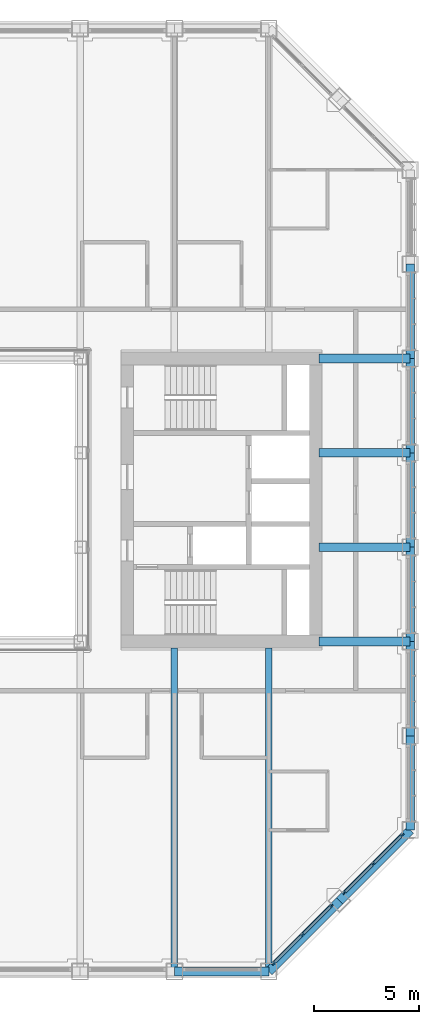
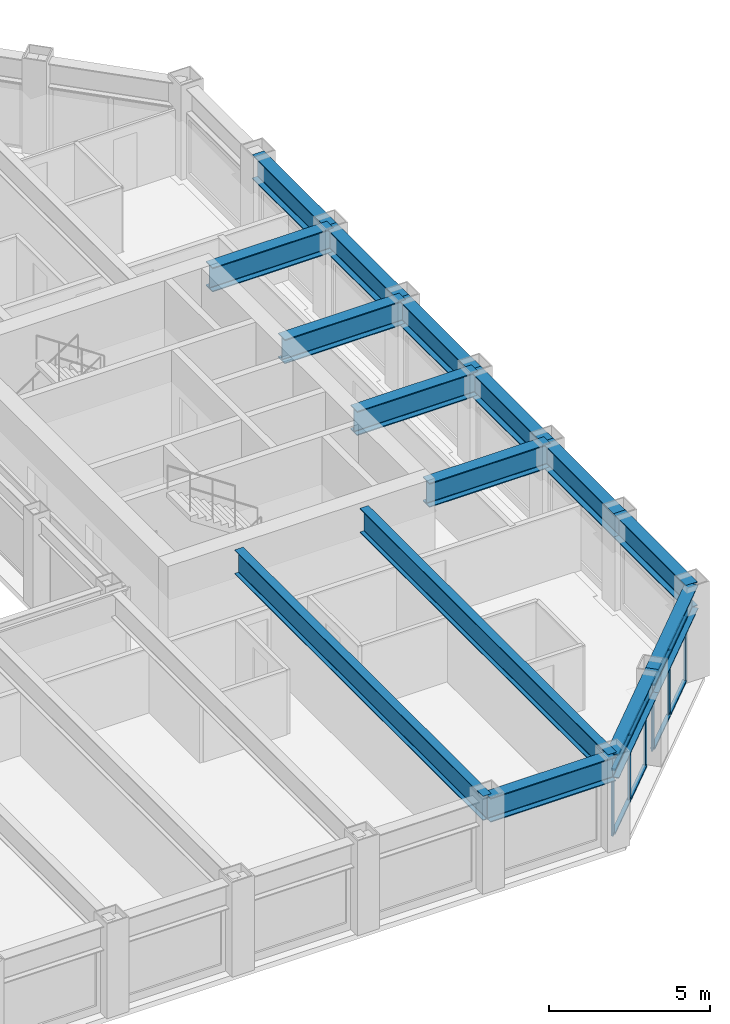
# One storey, part 6 of 17: 15 beams, 14 members, 2 elements without a shape of their own.
"""IFC4 building model written with IfcOpenShell, lengths in metres."""

from ifc_helpers import new_model, si_unit, direction, frame, origin, origin_2d, place, context, subcontext, project, spatial, rectangle, i_section, extrude, material, material_profile, profile_set, type_object, element, aggregate, save


model = new_model("IFC4")

# Units and contexts
model_context = context("Model", 3, precision=1e-05, world=origin(), true_north=direction((0.0, 1.0)))
body_context = subcontext(model_context, "Body", "Model", "MODEL_VIEW")
ifc_project = project(units=[si_unit("LENGTHUNIT", "METRE"), si_unit("AREAUNIT", "SQUARE_METRE"), si_unit("VOLUMEUNIT", "CUBIC_METRE"), si_unit("PLANEANGLEUNIT", "RADIAN"), si_unit("MASSUNIT", "GRAM", prefix="KILO")], contexts=[model_context])

# Site, building, storey
site_placement = place(None, origin())
site = spatial("IfcSite", under=ifc_project, at=site_placement, CompositionType="ELEMENT")
building_placement = place(site_placement, origin())
building = spatial("IfcBuilding", under=site, at=building_placement, Name="Msasa Ring Tower", CompositionType="ELEMENT")
storey_placement = place(building_placement, frame((0.0, 0.0, 176.0)))
storey = spatial("IfcBuildingStorey", under=building, at=storey_placement, Name="L46", CompositionType="ELEMENT", Elevation=176.0)

# Curtain wall, members
ifc_material_1 = material(Name="Aluminium curtain wall with clear glass", Category="aluminium")
curtain_wall_type = type_object("IfcCurtainWallType", Name="CW-C CHAMFER CORNER CURTAIN WALL", PredefinedType="NOTDEFINED", material=ifc_material_1)
curtain_wall_1_placement = place(storey_placement, origin())
curtain_wall_1 = element("IfcCurtainWall", 1, at=curtain_wall_1_placement, inside=storey, type_object=curtain_wall_type, Name="Chamfer corner curtain wall SE L46", PredefinedType="NOTDEFINED")
ifc_material_2 = material(Name="Aluminium mullion", Category="aluminium")
ifc_material_profile_1 = material_profile(ifc_material_2, rectangle(XDim=0.06494140625, YDim=0.179931640625, at=origin_2d()), Name="AL 65x180")
ifc_profile_set_1 = profile_set([ifc_material_profile_1], Name="Aluminium mullion")
member_type_1 = type_object("IfcMemberType", Name="CW-C MULLION 65x180", PredefinedType="MULLION", material=ifc_profile_set_1)
member_1_placement = place(storey_placement, frame((15.98876953125, -22.119873046875, 0.0), z_axis=(0.0, 0.0, 1.0), x_axis=(-0.707106781187, 0.707106781187, 0.0)))
member_1 = element("IfcMember", 2, at=member_1_placement, type_object=member_type_1, Name="CW-C mullion 1", PredefinedType="MULLION", context=body_context, shape_type="SweptSolid", body=[
    extrude(rectangle(XDim=0.06494140625, YDim=0.179931640625, at=origin_2d()), origin(), (0.0, 0.0, 1.0), 2.47900390625),
])
member_2_placement = place(storey_placement, frame((17.36669921875, -20.74169921875, 0.0), z_axis=(0.0, 0.0, 1.0), x_axis=(-0.707106781187, 0.707106781187, 0.0)))
member_2 = element("IfcMember", 3, at=member_2_placement, type_object=member_type_1, Name="CW-C mullion 2", PredefinedType="MULLION", context=body_context, shape_type="SweptSolid", body=[
    extrude(rectangle(XDim=0.06494140625, YDim=0.179931640625, at=origin_2d()), origin(), (0.0, 0.0, 1.0), 2.47900390625),
])
member_3_placement = place(storey_placement, frame((18.744873046875, -19.36376953125, 0.0), z_axis=(0.0, 0.0, 1.0), x_axis=(-0.707106781187, 0.707106781187, 0.0)))
member_3 = element("IfcMember", 4, at=member_3_placement, type_object=member_type_1, Name="CW-C mullion 3", PredefinedType="MULLION", context=body_context, shape_type="SweptSolid", body=[
    extrude(rectangle(XDim=0.06494140625, YDim=0.179931640625, at=origin_2d()), origin(), (0.0, 0.0, 1.0), 2.47900390625),
])

curtain_wall_2_placement = place(storey_placement, origin())
curtain_wall_2 = element("IfcCurtainWall", 5, at=curtain_wall_2_placement, inside=storey, type_object=curtain_wall_type, Name="Chamfer corner curtain wall SE L46", PredefinedType="NOTDEFINED")
member_4_placement = place(storey_placement, frame((19.36376953125, -18.744873046875, 0.0), z_axis=(0.0, 0.0, 1.0), x_axis=(-0.707106781187, 0.707106781187, 0.0)))
member_4 = element("IfcMember", 6, at=member_4_placement, type_object=member_type_1, Name="CW-C mullion 1", PredefinedType="MULLION", context=body_context, shape_type="SweptSolid", body=[
    extrude(rectangle(XDim=0.06494140625, YDim=0.179931640625, at=origin_2d()), origin(), (0.0, 0.0, 1.0), 2.47900390625),
])
member_5_placement = place(storey_placement, frame((20.74169921875, -17.36669921875, 0.0), z_axis=(0.0, 0.0, 1.0), x_axis=(-0.707106781187, 0.707106781187, 0.0)))
member_5 = element("IfcMember", 7, at=member_5_placement, type_object=member_type_1, Name="CW-C mullion 2", PredefinedType="MULLION", context=body_context, shape_type="SweptSolid", body=[
    extrude(rectangle(XDim=0.06494140625, YDim=0.179931640625, at=origin_2d()), origin(), (0.0, 0.0, 1.0), 2.47900390625),
])
member_6_placement = place(storey_placement, frame((22.119873046875, -15.98876953125, 0.0), z_axis=(0.0, 0.0, 1.0), x_axis=(-0.707106781187, 0.707106781187, 0.0)))
member_6 = element("IfcMember", 8, at=member_6_placement, type_object=member_type_1, Name="CW-C mullion 3", PredefinedType="MULLION", context=body_context, shape_type="SweptSolid", body=[
    extrude(rectangle(XDim=0.06494140625, YDim=0.179931640625, at=origin_2d()), origin(), (0.0, 0.0, 1.0), 2.47900390625),
])

# Member
ifc_material_3 = material(Name="Aluminium transom", Category="aluminium")
ifc_material_profile_2 = material_profile(ifc_material_3, rectangle(XDim=0.139892578125, YDim=0.06494140625, at=origin_2d()), Name="AL 65x140")
ifc_profile_set_2 = profile_set([ifc_material_profile_2], Name="Aluminium transom")
member_type_2 = type_object("IfcMemberType", Name="CW-C TRANSOM 65x140", PredefinedType="USERDEFINED", material=ifc_profile_set_2)
member_7_placement = place(storey_placement, frame((16.01171875, -22.096923828125, 0.032470703125), z_axis=(0.707106781187, 0.707106781187, 0.0), x_axis=(-0.707106781187, 0.707106781187, 0.0)))
member_7 = element("IfcMember", 9, at=member_7_placement, type_object=member_type_2, Name="CW-C transom 1.1", ObjectType="TRANSOM", PredefinedType="USERDEFINED", context=body_context, shape_type="SweptSolid", body=[
    extrude(rectangle(XDim=0.139892578125, YDim=0.06494140625, at=origin_2d()), origin(), (0.0, 0.0, 1.0), 1.8837890625),
])

member_8_placement = place(storey_placement, frame((16.01171875, -22.096923828125, 2.446533203125), z_axis=(0.707106781187, 0.707106781187, 0.0), x_axis=(-0.707106781187, 0.707106781187, 0.0)))
member_8 = element("IfcMember", 10, at=member_8_placement, type_object=member_type_2, Name="CW-C transom 1.2", ObjectType="TRANSOM", PredefinedType="USERDEFINED", context=body_context, shape_type="SweptSolid", body=[
    extrude(rectangle(XDim=0.139892578125, YDim=0.06494140625, at=origin_2d()), origin(), (0.0, 0.0, 1.0), 1.8837890625),
])

member_9_placement = place(storey_placement, frame((17.389892578125, -20.71875, 0.032470703125), z_axis=(0.707106781187, 0.707106781187, 0.0), x_axis=(-0.707106781187, 0.707106781187, 0.0)))
member_9 = element("IfcMember", 11, at=member_9_placement, type_object=member_type_2, Name="CW-C transom 2.1", ObjectType="TRANSOM", PredefinedType="USERDEFINED", context=body_context, shape_type="SweptSolid", body=[
    extrude(rectangle(XDim=0.139892578125, YDim=0.06494140625, at=origin_2d()), origin(), (0.0, 0.0, 1.0), 1.8837890625),
])

member_10_placement = place(storey_placement, frame((17.389892578125, -20.71875, 2.446533203125), z_axis=(0.707106781187, 0.707106781187, 0.0), x_axis=(-0.707106781187, 0.707106781187, 0.0)))
member_10 = element("IfcMember", 12, at=member_10_placement, type_object=member_type_2, Name="CW-C transom 2.2", ObjectType="TRANSOM", PredefinedType="USERDEFINED", context=body_context, shape_type="SweptSolid", body=[
    extrude(rectangle(XDim=0.139892578125, YDim=0.06494140625, at=origin_2d()), origin(), (0.0, 0.0, 1.0), 1.8837890625),
])

aggregate(curtain_wall_1, [member_1, member_2, member_3, member_7, member_8, member_9, member_10])

member_11_placement = place(storey_placement, frame((19.38671875, -18.721923828125, 0.032470703125), z_axis=(0.707106781187, 0.707106781187, 0.0), x_axis=(-0.707106781187, 0.707106781187, 0.0)))
member_11 = element("IfcMember", 13, at=member_11_placement, type_object=member_type_2, Name="CW-C transom 1.1", ObjectType="TRANSOM", PredefinedType="USERDEFINED", context=body_context, shape_type="SweptSolid", body=[
    extrude(rectangle(XDim=0.139892578125, YDim=0.06494140625, at=origin_2d()), origin(), (0.0, 0.0, 1.0), 1.8837890625),
])

member_12_placement = place(storey_placement, frame((19.38671875, -18.721923828125, 2.446533203125), z_axis=(0.707106781187, 0.707106781187, 0.0), x_axis=(-0.707106781187, 0.707106781187, 0.0)))
member_12 = element("IfcMember", 14, at=member_12_placement, type_object=member_type_2, Name="CW-C transom 1.2", ObjectType="TRANSOM", PredefinedType="USERDEFINED", context=body_context, shape_type="SweptSolid", body=[
    extrude(rectangle(XDim=0.139892578125, YDim=0.06494140625, at=origin_2d()), origin(), (0.0, 0.0, 1.0), 1.8837890625),
])

member_13_placement = place(storey_placement, frame((20.764892578125, -17.34375, 0.032470703125), z_axis=(0.707106781187, 0.707106781187, 0.0), x_axis=(-0.707106781187, 0.707106781187, 0.0)))
member_13 = element("IfcMember", 15, at=member_13_placement, type_object=member_type_2, Name="CW-C transom 2.1", ObjectType="TRANSOM", PredefinedType="USERDEFINED", context=body_context, shape_type="SweptSolid", body=[
    extrude(rectangle(XDim=0.139892578125, YDim=0.06494140625, at=origin_2d()), origin(), (0.0, 0.0, 1.0), 1.8837890625),
])

member_14_placement = place(storey_placement, frame((20.764892578125, -17.34375, 2.446533203125), z_axis=(0.707106781187, 0.707106781187, 0.0), x_axis=(-0.707106781187, 0.707106781187, 0.0)))
member_14 = element("IfcMember", 16, at=member_14_placement, type_object=member_type_2, Name="CW-C transom 2.2", ObjectType="TRANSOM", PredefinedType="USERDEFINED", context=body_context, shape_type="SweptSolid", body=[
    extrude(rectangle(XDim=0.139892578125, YDim=0.06494140625, at=origin_2d()), origin(), (0.0, 0.0, 1.0), 1.8837890625),
])

aggregate(curtain_wall_2, [member_4, member_5, member_6, member_11, member_12, member_13, member_14])

# Beams
ifc_material_4 = material(Name="Steel S355", Category="steel")
ifc_material_profile_3 = material_profile(ifc_material_4, i_section(OverallWidth=0.42041015625, OverallDepth=0.9208984375, WebThickness=0.021484375, FlangeThickness=0.03662109375, FilletRadius=0.024169921875, at=origin_2d()), Name="UB 914x419x388")
ifc_profile_set_3 = profile_set([ifc_material_profile_3], Name="Steel S355")
beam_type_1 = type_object("IfcBeamType", Name="FB2 UB 914x419x388", PredefinedType="BEAM", material=ifc_profile_set_3)
for number, where, z_axis, x_axis, name in (
    (17, (22.5, -2.25, 2.939453125), (-1.0, 0.0, 0.0), (0.0, -1.0, 0.0), "Floor beam E -2.25 under L47"),
    (18, (22.5, 2.25, 2.939453125), (-1.0, 0.0, 0.0), (0.0, -1.0, 0.0), "Floor beam E +2.25 under L47"),
):
    element("IfcBeam", number, at=place(storey_placement, frame(where, z_axis=z_axis, x_axis=x_axis)), inside=storey, type_object=beam_type_1, Name=name, PredefinedType="BEAM", context=body_context, shape_type="SweptSolid", body=[
        extrude(i_section(OverallWidth=0.42041015625, OverallDepth=0.9208984375, WebThickness=0.021484375, FlangeThickness=0.03662109375, FilletRadius=0.024169921875, at=origin_2d()), origin(), (0.0, 0.0, 1.0), 4.35009765625),
    ])
ifc_material_5 = material(Name="Steel S355", Category="steel")
ifc_material_profile_4 = material_profile(ifc_material_5, i_section(OverallWidth=0.3076171875, OverallDepth=0.926513671875, WebThickness=0.01953125, FlangeThickness=0.031982421875, FilletRadius=0.01904296875, at=origin_2d()), Name="UB 914x305x289")
ifc_profile_set_4 = profile_set([ifc_material_profile_4], Name="Steel S355")
beam_type_2 = type_object("IfcBeamType", Name="FB3 UB 914x305x289", PredefinedType="BEAM", material=ifc_profile_set_4)
for number, where, z_axis, x_axis, name in (
    (19, (11.25, -22.5, 2.936767578125), (0.0, 1.0, 0.0), (-1.0, 0.0, 0.0), "Floor beam S+11.25 under L47"),
    (20, (15.75, -22.5, 2.936767578125), (0.0, 1.0, 0.0), (-1.0, 0.0, 0.0), "Floor beam S+15.75 under L47"),
):
    element("IfcBeam", number, at=place(storey_placement, frame(where, z_axis=z_axis, x_axis=x_axis)), inside=storey, type_object=beam_type_2, Name=name, PredefinedType="BEAM", context=body_context, shape_type="SweptSolid", body=[
        extrude(i_section(OverallWidth=0.3076171875, OverallDepth=0.926513671875, WebThickness=0.01953125, FlangeThickness=0.031982421875, FilletRadius=0.01904296875, at=origin_2d()), origin(), (0.0, 0.0, 1.0), 15.449951171875),
    ])
ifc_material_6 = material(Name="Steel S355", Category="steel")
ifc_material_profile_5 = material_profile(ifc_material_6, i_section(OverallWidth=0.42041015625, OverallDepth=0.9208984375, WebThickness=0.021484375, FlangeThickness=0.03662109375, FilletRadius=0.024169921875, at=origin_2d()), Name="UB 914x419x388")
ifc_profile_set_5 = profile_set([ifc_material_profile_5], Name="Steel S355")
beam_type_3 = type_object("IfcBeamType", Name="GB1 UB 914x419x388", PredefinedType="BEAM", material=ifc_profile_set_5)
for number, where, z_axis, x_axis, name in (
    (21, (18.14990234375, 6.75, 2.939453125), (1.0, 0.0, 0.0), (0.0, 1.0, 0.0), "Girder E +6.75 under L47"),
    (22, (18.14990234375, -6.75, 2.939453125), (1.0, 0.0, 0.0), (0.0, 1.0, 0.0), "Girder E -6.75 under L47"),
):
    element("IfcBeam", number, at=place(storey_placement, frame(where, z_axis=z_axis, x_axis=x_axis)), inside=storey, type_object=beam_type_3, Name=name, PredefinedType="BEAM", context=body_context, shape_type="SweptSolid", body=[
        extrude(i_section(OverallWidth=0.42041015625, OverallDepth=0.9208984375, WebThickness=0.021484375, FlangeThickness=0.03662109375, FilletRadius=0.024169921875, at=origin_2d()), origin(), (0.0, 0.0, 1.0), 4.35009765625),
    ])
ifc_material_7 = material(Name="Steel S355", Category="steel")
ifc_material_profile_6 = material_profile(ifc_material_7, i_section(OverallWidth=0.42041015625, OverallDepth=0.9208984375, WebThickness=0.021484375, FlangeThickness=0.03662109375, FilletRadius=0.024169921875, at=origin_2d()), Name="UB 914x419x388")
ifc_profile_set_6 = profile_set([ifc_material_profile_6], Name="Steel S355")
beam_type_4 = type_object("IfcBeamType", Name="SB1 UB 914x419x388", PredefinedType="SPANDREL", material=ifc_profile_set_6)
beam_placement = place(storey_placement, frame((11.25, -22.5, 2.939453125), z_axis=(1.0, 0.0, 0.0), x_axis=(0.0, 1.0, 0.0)))
element("IfcBeam", 23, at=beam_placement, inside=storey, type_object=beam_type_4, Name="Spandrel S+11.25 to S+15.75 under L47", PredefinedType="SPANDREL", context=body_context, shape_type="SweptSolid", body=[
    extrude(i_section(OverallWidth=0.42041015625, OverallDepth=0.9208984375, WebThickness=0.021484375, FlangeThickness=0.03662109375, FilletRadius=0.024169921875, at=origin_2d()), origin(), (0.0, 0.0, 1.0), 4.5),
])
for number, where, z_axis, x_axis, name in (
    (24, (15.75, -22.5, 2.939453125), (0.707106781187, 0.707106781187, 0.0), (-0.707106781187, 0.707106781187, 0.0), "Spandrel S+15.75 to SE under L47"),
    (25, (19.125, -19.125, 2.939453125), (0.707106781187, 0.707106781187, 0.0), (-0.707106781187, 0.707106781187, 0.0), "Spandrel SE to E-15.75 under L47"),
):
    element("IfcBeam", number, at=place(storey_placement, frame(where, z_axis=z_axis, x_axis=x_axis)), inside=storey, type_object=beam_type_4, Name=name, PredefinedType="SPANDREL", context=body_context, shape_type="SweptSolid", body=[
        extrude(i_section(OverallWidth=0.42041015625, OverallDepth=0.9208984375, WebThickness=0.021484375, FlangeThickness=0.03662109375, FilletRadius=0.024169921875, at=origin_2d()), origin(), (0.0, 0.0, 1.0), 4.77294921875),
    ])
for number, where, z_axis, x_axis, name in (
    (26, (22.5, -15.75, 2.939453125), (0.0, 1.0, 0.0), (-1.0, 0.0, 0.0), "Spandrel E-15.75 to E-11.25 under L47"),
    (27, (22.5, -11.25, 2.939453125), (0.0, 1.0, 0.0), (-1.0, 0.0, 0.0), "Spandrel E-11.25 to E-6.75 under L47"),
    (28, (22.5, -6.75, 2.939453125), (0.0, 1.0, 0.0), (-1.0, 0.0, 0.0), "Spandrel E-6.75 to E-2.25 under L47"),
    (29, (22.5, -2.25, 2.939453125), (0.0, 1.0, 0.0), (-1.0, 0.0, 0.0), "Spandrel E-2.25 to E+2.25 under L47"),
    (30, (22.5, 2.25, 2.939453125), (0.0, 1.0, 0.0), (-1.0, 0.0, 0.0), "Spandrel E+2.25 to E+6.75 under L47"),
    (31, (22.5, 6.75, 2.939453125), (0.0, 1.0, 0.0), (-1.0, 0.0, 0.0), "Spandrel E+6.75 to E+11.25 under L47"),
):
    element("IfcBeam", number, at=place(storey_placement, frame(where, z_axis=z_axis, x_axis=x_axis)), inside=storey, type_object=beam_type_4, Name=name, PredefinedType="SPANDREL", context=body_context, shape_type="SweptSolid", body=[
        extrude(i_section(OverallWidth=0.42041015625, OverallDepth=0.9208984375, WebThickness=0.021484375, FlangeThickness=0.03662109375, FilletRadius=0.024169921875, at=origin_2d()), origin(), (0.0, 0.0, 1.0), 4.5),
    ])

save(model, "model.ifc")
